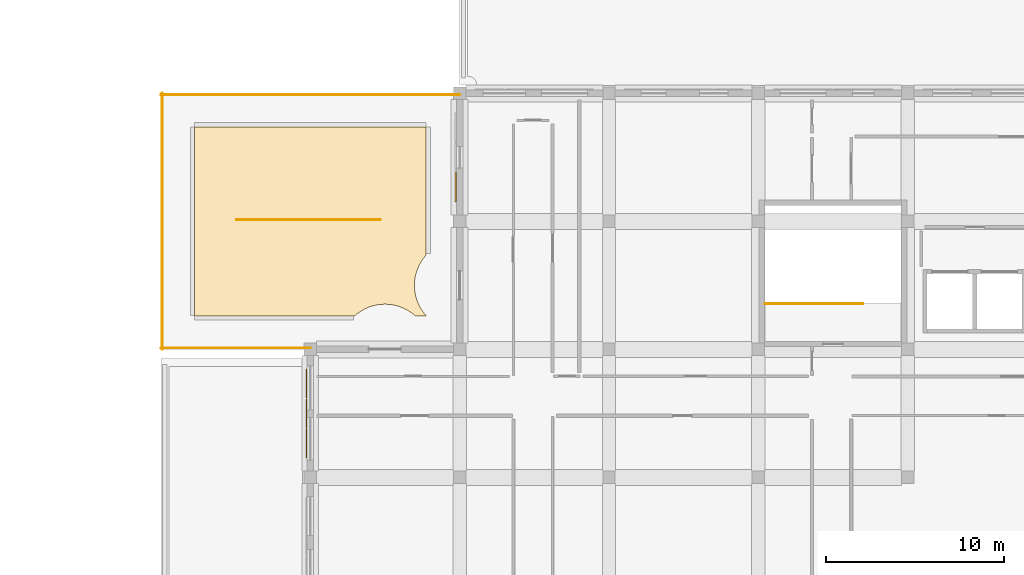
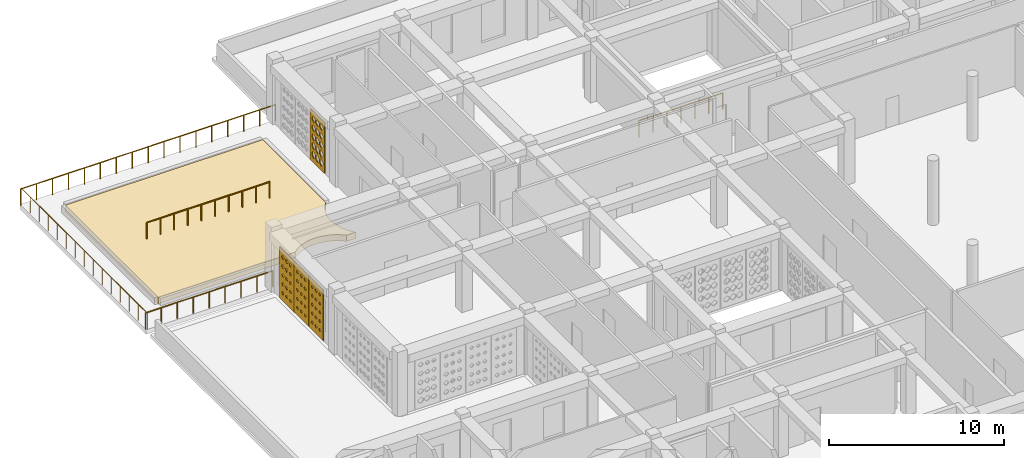
# One storey, part 40 of 47: 7 railings, 5 coverings.
"""IFC4 building model written with IfcOpenShell, lengths in metres."""

from ifc_helpers import new_model, si_unit, derived_unit, direction, frame, origin, origin_2d, place, context, subcontext, project, spatial, polyline, circle, outline, extrude, material, layer, layer_set, type_object, element, save


model = new_model("IFC4")

# Units and contexts
model_context = context("Model", 3, precision=1e-05, world=origin(), true_north=direction((0.0, 1.0)))
body_context = subcontext(model_context, "Body", "Model", "MODEL_VIEW")
ifc_project = project(units=[si_unit("LENGTHUNIT", "METRE"), si_unit("AREAUNIT", "SQUARE_METRE"), si_unit("VOLUMEUNIT", "CUBIC_METRE"), si_unit("PLANEANGLEUNIT", "RADIAN"), si_unit("MASSUNIT", "GRAM", prefix="KILO"), derived_unit("THERMALTRANSMITTANCEUNIT", [(si_unit("POWERUNIT", "WATT"), 1), (si_unit("LENGTHUNIT", "METRE"), -2), (si_unit("THERMODYNAMICTEMPERATUREUNIT", "KELVIN"), -1)])], contexts=[model_context])

# Site, building, storey
site_placement = place(None, origin())
site = spatial("IfcSite", under=ifc_project, at=site_placement, CompositionType="ELEMENT")
building_placement = place(site_placement, origin())
building = spatial("IfcBuilding", under=site, at=building_placement, Name="Veybourne Emporium", CompositionType="ELEMENT")
storey_placement = place(building_placement, frame((0.0, 0.0, 23.39990234375)))
storey = spatial("IfcBuildingStorey", under=building, at=storey_placement, Name="L05", CompositionType="ELEMENT", Elevation=23.39990234375)

# Railings
ifc_material_1 = material(Name="Brushed Stainless Steel", Category="steel")
railing_type_1 = type_object("IfcRailingType", Name="Guard_GR-01", PredefinedType="GUARDRAIL", material=ifc_material_1)
railing_1_placement = place(storey_placement, frame((50.77001953125, 74.56005859375, 0.0)))
element("IfcRailing", 1, at=railing_1_placement, inside=storey, type_object=railing_type_1, Name="L05 ST-03 top well guardrail", PredefinedType="GUARDRAIL", context=body_context, shape_type="SweptSolid", body=[
    extrude(circle(Radius=0.02392578125, at=origin_2d()), frame((0.0, 0.0, 1.1259765625), z_axis=(1.0, 0.0, 0.0), x_axis=(0.0, 1.0, 0.0)), (0.0, 0.0, 1.0), 5.52001953125),
    extrude(circle(Radius=0.02099609375, at=origin_2d()), origin(), (0.0, 0.0, 1.0), 1.101806640625),
    extrude(circle(Radius=0.02099609375, at=origin_2d()), frame((0.919921875, 0.0, 0.0)), (0.0, 0.0, 1.0), 1.101806640625),
    extrude(circle(Radius=0.02099609375, at=origin_2d()), frame((1.840087890625, 0.0, 0.0)), (0.0, 0.0, 1.0), 1.101806640625),
    extrude(circle(Radius=0.02099609375, at=origin_2d()), frame((2.760009765625, 0.0, 0.0)), (0.0, 0.0, 1.0), 1.101806640625),
    extrude(circle(Radius=0.02099609375, at=origin_2d()), frame((3.679931640625, 0.0, 0.0)), (0.0, 0.0, 1.0), 1.101806640625),
    extrude(circle(Radius=0.02099609375, at=origin_2d()), frame((4.60009765625, 0.0, 0.0)), (0.0, 0.0, 1.0), 1.101806640625),
    extrude(circle(Radius=0.02099609375, at=origin_2d()), frame((5.52001953125, 0.0, 0.0)), (0.0, 0.0, 1.0), 1.101806640625),
])
ifc_material_2 = material(Name="Patinated Architectural Bronze", Category="bronze")
railing_type_2 = type_object("IfcRailingType", Name="Guard_GR-02", PredefinedType="GUARDRAIL", material=ifc_material_2)
railing_2_placement = place(storey_placement, frame((25.199951171875, 72.080078125, 0.0)))
element("IfcRailing", 2, at=railing_2_placement, inside=storey, type_object=railing_type_2, Name="L05 terrace perimeter guardrail 001", PredefinedType="GUARDRAIL", context=body_context, shape_type="SweptSolid", body=[
    extrude(circle(Radius=0.02392578125, at=origin_2d()), frame((0.0, 0.0, 1.1259765625), z_axis=(-1.0, 0.0, 0.0), x_axis=(0.0, -1.0, 0.0)), (0.0, 0.0, 1.0), 8.39990234375),
    extrude(circle(Radius=0.02099609375, at=origin_2d()), origin(), (0.0, 0.0, 1.0), 1.101806640625),
    extrude(circle(Radius=0.02099609375, at=origin_2d()), frame((-1.050048828125, 0.0, 0.0)), (0.0, 0.0, 1.0), 1.101806640625),
    extrude(circle(Radius=0.02099609375, at=origin_2d()), frame((-2.10009765625, 0.0, 0.0)), (0.0, 0.0, 1.0), 1.101806640625),
    extrude(circle(Radius=0.02099609375, at=origin_2d()), frame((-3.14990234375, 0.0, 0.0)), (0.0, 0.0, 1.0), 1.101806640625),
    extrude(circle(Radius=0.02099609375, at=origin_2d()), frame((-4.199951171875, 0.0, 0.0)), (0.0, 0.0, 1.0), 1.101806640625),
    extrude(circle(Radius=0.02099609375, at=origin_2d()), frame((-5.25, 0.0, 0.0)), (0.0, 0.0, 1.0), 1.101806640625),
    extrude(circle(Radius=0.02099609375, at=origin_2d()), frame((-6.2998046875, 0.0, 0.0)), (0.0, 0.0, 1.0), 1.101806640625),
    extrude(circle(Radius=0.02099609375, at=origin_2d()), frame((-7.349853515625, 0.0, 0.0)), (0.0, 0.0, 1.0), 1.101806640625),
    extrude(circle(Radius=0.02099609375, at=origin_2d()), frame((-8.39990234375, 0.0, 0.0)), (0.0, 0.0, 1.0), 1.101806640625),
])
railing_3_placement = place(storey_placement, frame((16.8798828125, 72.0, 0.0)))
element("IfcRailing", 3, at=railing_3_placement, inside=storey, type_object=railing_type_2, Name="L05 terrace perimeter guardrail 002", PredefinedType="GUARDRAIL", context=body_context, shape_type="SweptSolid", body=[
    extrude(circle(Radius=0.02392578125, at=origin_2d()), frame((0.0, 0.0, 1.1259765625), z_axis=(0.0, 1.0, 0.0), x_axis=(-1.0, 0.0, 0.0)), (0.0, 0.0, 1.0), 7.199951171875),
    extrude(circle(Radius=0.02099609375, at=origin_2d()), origin(), (0.0, 0.0, 1.0), 1.101806640625),
    extrude(circle(Radius=0.02099609375, at=origin_2d()), frame((0.0, 1.028564453125, 0.0)), (0.0, 0.0, 1.0), 1.101806640625),
    extrude(circle(Radius=0.02099609375, at=origin_2d()), frame((0.0, 2.05712890625, 0.0)), (0.0, 0.0, 1.0), 1.101806640625),
    extrude(circle(Radius=0.02099609375, at=origin_2d()), frame((0.0, 3.085693359375, 0.0)), (0.0, 0.0, 1.0), 1.101806640625),
    extrude(circle(Radius=0.02099609375, at=origin_2d()), frame((0.0, 4.1142578125, 0.0)), (0.0, 0.0, 1.0), 1.101806640625),
    extrude(circle(Radius=0.02099609375, at=origin_2d()), frame((0.0, 5.142822265625, 0.0)), (0.0, 0.0, 1.0), 1.101806640625),
    extrude(circle(Radius=0.02099609375, at=origin_2d()), frame((0.0, 6.17138671875, 0.0)), (0.0, 0.0, 1.0), 1.101806640625),
    extrude(circle(Radius=0.02099609375, at=origin_2d()), frame((0.0, 7.199951171875, 0.0)), (0.0, 0.0, 1.0), 1.101806640625),
])
railing_4_placement = place(storey_placement, frame((16.800048828125, 86.320068359375, 0.0)))
element("IfcRailing", 4, at=railing_4_placement, inside=storey, type_object=railing_type_2, Name="L05 terrace perimeter guardrail 003", PredefinedType="GUARDRAIL", context=body_context, shape_type="SweptSolid", body=[
    extrude(circle(Radius=0.02392578125, at=origin_2d()), frame((0.0, 0.0, 1.1259765625), z_axis=(1.0, 0.0, 0.0), x_axis=(0.0, 1.0, 0.0)), (0.0, 0.0, 1.0), 8.39990234375),
    extrude(circle(Radius=0.02099609375, at=origin_2d()), origin(), (0.0, 0.0, 1.0), 1.101806640625),
    extrude(circle(Radius=0.02099609375, at=origin_2d()), frame((1.050048828125, 0.0, 0.0)), (0.0, 0.0, 1.0), 1.101806640625),
    extrude(circle(Radius=0.02099609375, at=origin_2d()), frame((2.10009765625, 0.0, 0.0)), (0.0, 0.0, 1.0), 1.101806640625),
    extrude(circle(Radius=0.02099609375, at=origin_2d()), frame((3.14990234375, 0.0, 0.0)), (0.0, 0.0, 1.0), 1.101806640625),
    extrude(circle(Radius=0.02099609375, at=origin_2d()), frame((4.199951171875, 0.0, 0.0)), (0.0, 0.0, 1.0), 1.101806640625),
    extrude(circle(Radius=0.02099609375, at=origin_2d()), frame((5.25, 0.0, 0.0)), (0.0, 0.0, 1.0), 1.101806640625),
    extrude(circle(Radius=0.02099609375, at=origin_2d()), frame((6.2998046875, 0.0, 0.0)), (0.0, 0.0, 1.0), 1.101806640625),
    extrude(circle(Radius=0.02099609375, at=origin_2d()), frame((7.349853515625, 0.0, 0.0)), (0.0, 0.0, 1.0), 1.101806640625),
    extrude(circle(Radius=0.02099609375, at=origin_2d()), frame((8.39990234375, 0.0, 0.0)), (0.0, 0.0, 1.0), 1.101806640625),
])
railing_5_placement = place(storey_placement, frame((16.8798828125, 79.199951171875, 0.0)))
element("IfcRailing", 5, at=railing_5_placement, inside=storey, type_object=railing_type_2, Name="L05 terrace perimeter guardrail 004", PredefinedType="GUARDRAIL", context=body_context, shape_type="SweptSolid", body=[
    extrude(circle(Radius=0.02392578125, at=origin_2d()), frame((0.0, 0.0, 1.1259765625), z_axis=(0.0, 1.0, 0.0), x_axis=(-1.0, 0.0, 0.0)), (0.0, 0.0, 1.0), 7.199951171875),
    extrude(circle(Radius=0.02099609375, at=origin_2d()), origin(), (0.0, 0.0, 1.0), 1.101806640625),
    extrude(circle(Radius=0.02099609375, at=origin_2d()), frame((0.0, 1.028564453125, 0.0)), (0.0, 0.0, 1.0), 1.101806640625),
    extrude(circle(Radius=0.02099609375, at=origin_2d()), frame((0.0, 2.05712890625, 0.0)), (0.0, 0.0, 1.0), 1.101806640625),
    extrude(circle(Radius=0.02099609375, at=origin_2d()), frame((0.0, 3.085693359375, 0.0)), (0.0, 0.0, 1.0), 1.101806640625),
    extrude(circle(Radius=0.02099609375, at=origin_2d()), frame((0.0, 4.1142578125, 0.0)), (0.0, 0.0, 1.0), 1.101806640625),
    extrude(circle(Radius=0.02099609375, at=origin_2d()), frame((0.0, 5.142822265625, 0.0)), (0.0, 0.0, 1.0), 1.101806640625),
    extrude(circle(Radius=0.02099609375, at=origin_2d()), frame((0.0, 6.17138671875, 0.0)), (0.0, 0.0, 1.0), 1.101806640625),
    extrude(circle(Radius=0.02099609375, at=origin_2d()), frame((0.0, 7.199951171875, 0.0)), (0.0, 0.0, 1.0), 1.101806640625),
])
railing_6_placement = place(storey_placement, frame((25.199951171875, 86.320068359375, 0.0)))
element("IfcRailing", 6, at=railing_6_placement, inside=storey, type_object=railing_type_2, Name="L05 terrace perimeter guardrail 005", PredefinedType="GUARDRAIL", context=body_context, shape_type="SweptSolid", body=[
    extrude(circle(Radius=0.02392578125, at=origin_2d()), frame((0.0, 0.0, 1.1259765625), z_axis=(1.0, 0.0, 0.0), x_axis=(0.0, 1.0, 0.0)), (0.0, 0.0, 1.0), 8.400146484375),
    extrude(circle(Radius=0.02099609375, at=origin_2d()), origin(), (0.0, 0.0, 1.0), 1.101806640625),
    extrude(circle(Radius=0.02099609375, at=origin_2d()), frame((1.050048828125, 0.0, 0.0)), (0.0, 0.0, 1.0), 1.101806640625),
    extrude(circle(Radius=0.02099609375, at=origin_2d()), frame((2.10009765625, 0.0, 0.0)), (0.0, 0.0, 1.0), 1.101806640625),
    extrude(circle(Radius=0.02099609375, at=origin_2d()), frame((3.150146484375, 0.0, 0.0)), (0.0, 0.0, 1.0), 1.101806640625),
    extrude(circle(Radius=0.02099609375, at=origin_2d()), frame((4.2001953125, 0.0, 0.0)), (0.0, 0.0, 1.0), 1.101806640625),
    extrude(circle(Radius=0.02099609375, at=origin_2d()), frame((5.25, 0.0, 0.0)), (0.0, 0.0, 1.0), 1.101806640625),
    extrude(circle(Radius=0.02099609375, at=origin_2d()), frame((6.300048828125, 0.0, 0.0)), (0.0, 0.0, 1.0), 1.101806640625),
    extrude(circle(Radius=0.02099609375, at=origin_2d()), frame((7.35009765625, 0.0, 0.0)), (0.0, 0.0, 1.0), 1.101806640625),
    extrude(circle(Radius=0.02099609375, at=origin_2d()), frame((8.400146484375, 0.0, 0.0)), (0.0, 0.0, 1.0), 1.101806640625),
])
railing_7_placement = place(storey_placement, frame((21.046142578125, 79.286376953125, 0.440185546875)))
element("IfcRailing", 7, at=railing_7_placement, inside=storey, type_object=railing_type_2, Name="L05 bronze roof-garden trellis balustrade 1.1", PredefinedType="GUARDRAIL", context=body_context, shape_type="SweptSolid", body=[
    extrude(circle(Radius=0.02392578125, at=origin_2d()), frame((0.0, 0.0, 1.1259765625), z_axis=(1.0, 0.0, 0.0), x_axis=(0.0, 1.0, 0.0)), (0.0, 0.0, 1.0), 8.099853515625),
    extrude(circle(Radius=0.02099609375, at=origin_2d()), origin(), (0.0, 0.0, 1.0), 1.101806640625),
    extrude(circle(Radius=0.02099609375, at=origin_2d()), frame((0.89990234375, 0.0, 0.0)), (0.0, 0.0, 1.0), 1.101806640625),
    extrude(circle(Radius=0.02099609375, at=origin_2d()), frame((1.800048828125, 0.0, 0.0)), (0.0, 0.0, 1.0), 1.101806640625),
    extrude(circle(Radius=0.02099609375, at=origin_2d()), frame((2.699951171875, 0.0, 0.0)), (0.0, 0.0, 1.0), 1.101806640625),
    extrude(circle(Radius=0.02099609375, at=origin_2d()), frame((3.599853515625, 0.0, 0.0)), (0.0, 0.0, 1.0), 1.101806640625),
    extrude(circle(Radius=0.02099609375, at=origin_2d()), frame((4.5, 0.0, 0.0)), (0.0, 0.0, 1.0), 1.101806640625),
    extrude(circle(Radius=0.02099609375, at=origin_2d()), frame((5.39990234375, 0.0, 0.0)), (0.0, 0.0, 1.0), 1.101806640625),
    extrude(circle(Radius=0.02099609375, at=origin_2d()), frame((6.2998046875, 0.0, 0.0)), (0.0, 0.0, 1.0), 1.101806640625),
    extrude(circle(Radius=0.02099609375, at=origin_2d()), frame((7.199951171875, 0.0, 0.0)), (0.0, 0.0, 1.0), 1.101806640625),
    extrude(circle(Radius=0.02099609375, at=origin_2d()), frame((8.099853515625, 0.0, 0.0)), (0.0, 0.0, 1.0), 1.101806640625),
])

# Coverings
ifc_material_3 = material(Name="Intensive Green Roof Build-up", Category="membrane")
ifc_layer_1 = layer(ifc_material_3, 0.43994140625)
ifc_layer_set_1 = layer_set([ifc_layer_1], Name="Intensive Green Roof Build-up")
covering_type_1 = type_object("IfcCoveringType", Name="Roofing_RFG-02", PredefinedType="ROOFING", material=ifc_layer_set_1)
covering_1_placement = place(storey_placement, origin())
element("IfcCovering", 8, at=covering_1_placement, inside=storey, type_object=covering_type_1, Name="L05 intensive planted garden bed 1.1", PredefinedType="ROOFING", context=body_context, shape_type="SweptSolid", body=[
    extrude(outline(polyline([(27.70556640625, 73.889892578125), (18.68994140625, 73.889892578125), (18.68994140625, 84.510009765625), (31.7099609375, 84.510009765625), (31.7099609375, 77.29443359375), (31.66748046875, 77.24755859375), (31.607177734375, 77.173828125), (31.515380859375, 77.050048828125), (31.46240234375, 76.970947265625), (31.38330078125, 76.8388671875), (31.33837890625, 76.7548828125), (31.2724609375, 76.615478515625), (31.236083984375, 76.527587890625), (31.18408203125, 76.382568359375), (31.156494140625, 76.29150390625), (31.119140625, 76.14208984375), (31.1005859375, 76.048583984375), (31.077880859375, 75.896240234375), (31.068603515625, 75.801513671875), (31.06103515625, 75.647705078125), (31.06103515625, 75.552490234375), (31.068603515625, 75.3984375), (31.077880859375, 75.3037109375), (31.1005859375, 75.1513671875), (31.119140625, 75.05810546875), (31.156494140625, 74.908447265625), (31.18408203125, 74.8173828125), (31.236083984375, 74.67236328125), (31.2724609375, 74.58447265625), (31.33837890625, 74.445068359375), (31.38330078125, 74.361083984375), (31.46240234375, 74.22900390625), (31.515380859375, 74.14990234375), (31.607177734375, 74.026123046875), (31.66748046875, 73.952392578125), (31.7099609375, 73.90576171875), (31.7099609375, 73.889892578125), (31.09423828125, 73.889892578125), (31.047607421875, 73.932373046875), (30.973876953125, 73.992919921875), (30.85009765625, 74.084716796875), (30.77099609375, 74.137451171875), (30.638916015625, 74.216796875), (30.554931640625, 74.26171875), (30.41552734375, 74.327392578125), (30.32763671875, 74.364013671875), (30.1826171875, 74.415771484375), (30.091552734375, 74.443359375), (29.94189453125, 74.48095703125), (29.8486328125, 74.49951171875), (29.6962890625, 74.52197265625), (29.6015625, 74.531494140625), (29.447509765625, 74.5390625), (29.352294921875, 74.5390625), (29.198486328125, 74.531494140625), (29.103759765625, 74.52197265625), (28.951416015625, 74.49951171875), (28.85791015625, 74.48095703125), (28.70849609375, 74.443359375), (28.617431640625, 74.415771484375), (28.472412109375, 74.364013671875), (28.384521484375, 74.327392578125), (28.2451171875, 74.26171875), (28.1611328125, 74.216796875), (28.029052734375, 74.137451171875), (27.949951171875, 74.084716796875), (27.826171875, 73.992919921875), (27.75244140625, 73.932373046875), (27.70556640625, 73.889892578125)])), origin(), (0.0, 0.0, 1.0), 0.440185546875),
])
ifc_material_4 = material(Name="Warm-White Perforated Aluminium Screen Alloy", Category="aluminium")
ifc_layer_2 = layer(ifc_material_4, 0.06005859375)
ifc_layer_set_2 = layer_set([ifc_layer_2], Name="Warm-White Perforated Aluminium Screen Alloy")
covering_type_2 = type_object("IfcCoveringType", Name="WaveScreen_SCR-02", PredefinedType="CLADDING", material=ifc_layer_set_2)
covering_2_placement = place(storey_placement, frame((24.951904296875, 66.719970703125, 1.830078125), z_axis=(1.0, 0.0, 0.0), x_axis=(0.0, 1.0, 0.0)))
element("IfcCovering", 9, at=covering_2_placement, inside=storey, type_object=covering_type_2, Name="L05 wave-perforated aluminium screen SCR-02 (19.1)", PredefinedType="CLADDING", context=body_context, shape_type="SweptSolid", body=[
    extrude(outline(polyline([(-0.81982421875, -1.77001953125), (0.81982421875, -1.77001953125), (0.81982421875, 1.77001953125), (-0.81982421875, 1.77001953125), (-0.81982421875, -1.77001953125)]), holes=[polyline([(-0.433349609375, -1.123046875), (-0.32763671875, -1.197998046875), (-0.32763671875, -1.281982421875), (-0.433349609375, -1.35693359375), (-0.5390625, -1.281982421875), (-0.5390625, -1.197998046875), (-0.433349609375, -1.123046875)]), polyline([(-0.433349609375, -0.507568359375), (-0.331298828125, -0.57958984375), (-0.331298828125, -0.660400390625), (-0.433349609375, -0.732421875), (-0.535400390625, -0.660400390625), (-0.535400390625, -0.57958984375), (-0.433349609375, -0.507568359375)]), polyline([(-0.433349609375, 0.110107421875), (-0.333251953125, 0.039794921875), (-0.333251953125, -0.039794921875), (-0.433349609375, -0.110107421875), (-0.533447265625, -0.039794921875), (-0.533447265625, 0.039794921875), (-0.433349609375, 0.110107421875)]), polyline([(-0.433349609375, 0.73046875), (-0.3330078125, 0.659912109375), (-0.3330078125, 0.580078125), (-0.433349609375, 0.509521484375), (-0.53369140625, 0.580078125), (-0.53369140625, 0.659912109375), (-0.433349609375, 0.73046875)]), polyline([(-0.433349609375, 1.353271484375), (-0.330810546875, 1.28076171875), (-0.330810546875, 1.19921875), (-0.433349609375, 1.126708984375), (-0.535888671875, 1.19921875), (-0.535888671875, 1.28076171875), (-0.433349609375, 1.353271484375)]), polyline([(0.0, -1.125244140625), (0.103759765625, -1.19873046875), (0.103759765625, -1.28125), (0.0, -1.354736328125), (-0.103759765625, -1.28125), (-0.103759765625, -1.19873046875), (0.0, -1.125244140625)]), polyline([(0.0, -0.5087890625), (0.100830078125, -0.580078125), (0.100830078125, -0.659912109375), (0.0, -0.731201171875), (-0.100830078125, -0.659912109375), (-0.100830078125, -0.580078125), (0.0, -0.5087890625)]), polyline([(0.0, 0.110107421875), (0.10009765625, 0.03955078125), (0.10009765625, -0.03955078125), (0.0, -0.110107421875), (-0.10009765625, -0.03955078125), (-0.10009765625, 0.03955078125), (0.0, 0.110107421875)]), polyline([(0.0, 0.7314453125), (0.10107421875, 0.66015625), (0.10107421875, 0.579833984375), (0.0, 0.508544921875), (-0.10107421875, 0.579833984375), (-0.10107421875, 0.66015625), (0.0, 0.7314453125)]), polyline([(0.0, 1.355224609375), (0.104248046875, 1.281494140625), (0.104248046875, 1.198486328125), (0.0, 1.124755859375), (-0.104248046875, 1.198486328125), (-0.104248046875, 1.281494140625), (0.0, 1.355224609375)]), polyline([(0.433349609375, -1.127197265625), (0.53564453125, -1.199462890625), (0.53564453125, -1.280517578125), (0.433349609375, -1.352783203125), (0.3310546875, -1.280517578125), (0.3310546875, -1.199462890625), (0.433349609375, -1.127197265625)]), polyline([(0.433349609375, -0.509765625), (0.53369140625, -0.580322265625), (0.53369140625, -0.65966796875), (0.433349609375, -0.730224609375), (0.3330078125, -0.65966796875), (0.3330078125, -0.580322265625), (0.433349609375, -0.509765625)]), polyline([(0.433349609375, 0.1103515625), (0.53369140625, 0.039794921875), (0.53369140625, -0.039794921875), (0.433349609375, -0.1103515625), (0.3330078125, -0.039794921875), (0.3330078125, 0.039794921875), (0.433349609375, 0.1103515625)]), polyline([(0.433349609375, 0.73291015625), (0.53564453125, 0.66064453125), (0.53564453125, 0.579345703125), (0.433349609375, 0.507080078125), (0.3310546875, 0.579345703125), (0.3310546875, 0.66064453125), (0.433349609375, 0.73291015625)]), polyline([(0.433349609375, 1.357666015625), (0.53955078125, 1.282470703125), (0.53955078125, 1.197509765625), (0.433349609375, 1.122314453125), (0.3271484375, 1.197509765625), (0.3271484375, 1.282470703125), (0.433349609375, 1.357666015625)])]), origin(), (0.0, 0.0, 1.0), 0.06005859375),
])
ifc_layer_3 = layer(ifc_material_4, 0.06005859375)
ifc_layer_set_3 = layer_set([ifc_layer_3], Name="Warm-White Perforated Aluminium Screen Alloy")
covering_type_3 = type_object("IfcCoveringType", Name="WaveScreen_SCR-03", PredefinedType="CLADDING", material=ifc_layer_set_3)
covering_3_placement = place(storey_placement, frame((24.951904296875, 68.39990234375, 1.830078125), z_axis=(1.0, 0.0, 0.0), x_axis=(0.0, 1.0, 0.0)))
element("IfcCovering", 10, at=covering_3_placement, inside=storey, type_object=covering_type_3, Name="L05 wave-perforated aluminium screen SCR-03 (19.2)", PredefinedType="CLADDING", context=body_context, shape_type="SweptSolid", body=[
    extrude(outline(polyline([(-0.81982421875, -1.77001953125), (0.81982421875, -1.77001953125), (0.81982421875, 1.77001953125), (-0.81982421875, 1.77001953125), (-0.81982421875, -1.77001953125)]), holes=[polyline([(-0.433349609375, -1.12939453125), (-0.3330078125, -1.2001953125), (-0.3330078125, -1.27978515625), (-0.433349609375, -1.3505859375), (-0.53369140625, -1.27978515625), (-0.53369140625, -1.2001953125), (-0.433349609375, -1.12939453125)]), polyline([(-0.433349609375, -0.510009765625), (-0.333251953125, -0.580322265625), (-0.333251953125, -0.65966796875), (-0.433349609375, -0.72998046875), (-0.533447265625, -0.65966796875), (-0.533447265625, -0.580322265625), (-0.433349609375, -0.510009765625)]), polyline([(-0.433349609375, 0.1123046875), (-0.33154296875, 0.040283203125), (-0.33154296875, -0.040283203125), (-0.433349609375, -0.1123046875), (-0.53515625, -0.040283203125), (-0.53515625, 0.040283203125), (-0.433349609375, 0.1123046875)]), polyline([(-0.433349609375, 0.73681640625), (-0.327880859375, 0.662109375), (-0.327880859375, 0.577880859375), (-0.433349609375, 0.50341796875), (-0.538818359375, 0.577880859375), (-0.538818359375, 0.662109375), (-0.433349609375, 0.73681640625)]), polyline([(-0.433349609375, 1.363525390625), (-0.322265625, 1.284423828125), (-0.322265625, 1.195556640625), (-0.433349609375, 1.116455078125), (-0.54443359375, 1.195556640625), (-0.54443359375, 1.284423828125), (-0.433349609375, 1.363525390625)]), polyline([(0.0, -1.1298828125), (0.10009765625, -1.200439453125), (0.10009765625, -1.279541015625), (0.0, -1.35009765625), (-0.10009765625, -1.279541015625), (-0.10009765625, -1.200439453125), (0.0, -1.1298828125)]), polyline([(0.0, -0.50927734375), (0.1005859375, -0.580078125), (0.1005859375, -0.659912109375), (0.0, -0.730712890625), (-0.1005859375, -0.659912109375), (-0.1005859375, -0.580078125), (0.0, -0.50927734375)]), polyline([(0.0, 0.114013671875), (0.103271484375, 0.041015625), (0.103271484375, -0.041015625), (0.0, -0.114013671875), (-0.103271484375, -0.041015625), (-0.103271484375, 0.041015625), (0.0, 0.114013671875)]), polyline([(0.0, 0.739501953125), (0.10791015625, 0.6630859375), (0.10791015625, 0.576904296875), (0.0, 0.50048828125), (-0.10791015625, 0.576904296875), (-0.10791015625, 0.6630859375), (0.0, 0.739501953125)]), polyline([(0.0, 1.3671875), (0.114013671875, 1.285888671875), (0.114013671875, 1.194091796875), (0.0, 1.11279296875), (-0.114013671875, 1.194091796875), (-0.114013671875, 1.285888671875), (0.0, 1.3671875)]), polyline([(0.433349609375, -1.1298828125), (0.533447265625, -1.200439453125), (0.533447265625, -1.279541015625), (0.433349609375, -1.35009765625), (0.333251953125, -1.279541015625), (0.333251953125, -1.200439453125), (0.433349609375, -1.1298828125)]), polyline([(0.433349609375, -0.508056640625), (0.534912109375, -0.57958984375), (0.534912109375, -0.660400390625), (0.433349609375, -0.73193359375), (0.331787109375, -0.660400390625), (0.331787109375, -0.57958984375), (0.433349609375, -0.508056640625)]), polyline([(0.433349609375, 0.1162109375), (0.538330078125, 0.041748046875), (0.538330078125, -0.041748046875), (0.433349609375, -0.1162109375), (0.328369140625, -0.041748046875), (0.328369140625, 0.041748046875), (0.433349609375, 0.1162109375)]), polyline([(0.433349609375, 0.74267578125), (0.543701171875, 0.664306640625), (0.543701171875, 0.57568359375), (0.433349609375, 0.497314453125), (0.322998046875, 0.57568359375), (0.322998046875, 0.664306640625), (0.433349609375, 0.74267578125)]), polyline([(0.433349609375, 1.371337890625), (0.55078125, 1.287353515625), (0.55078125, 1.192626953125), (0.433349609375, 1.108642578125), (0.31591796875, 1.192626953125), (0.31591796875, 1.287353515625), (0.433349609375, 1.371337890625)])]), origin(), (0.0, 0.0, 1.0), 0.06005859375),
])
ifc_layer_4 = layer(ifc_material_4, 0.06005859375)
ifc_layer_set_4 = layer_set([ifc_layer_4], Name="Warm-White Perforated Aluminium Screen Alloy")
covering_type_4 = type_object("IfcCoveringType", Name="WaveScreen_SCR-04", PredefinedType="CLADDING", material=ifc_layer_set_4)
covering_4_placement = place(storey_placement, frame((24.951904296875, 70.080078125, 1.830078125), z_axis=(1.0, 0.0, 0.0), x_axis=(0.0, 1.0, 0.0)))
element("IfcCovering", 11, at=covering_4_placement, inside=storey, type_object=covering_type_4, Name="L05 wave-perforated aluminium screen SCR-04 (19.3)", PredefinedType="CLADDING", context=body_context, shape_type="SweptSolid", body=[
    extrude(outline(polyline([(-0.81982421875, -1.77001953125), (0.81982421875, -1.77001953125), (0.81982421875, 1.77001953125), (-0.81982421875, 1.77001953125), (-0.81982421875, -1.77001953125)]), holes=[polyline([(-0.433349609375, -1.12841796875), (-0.33203125, -1.199951171875), (-0.33203125, -1.280029296875), (-0.433349609375, -1.3515625), (-0.534423828125, -1.280029296875), (-0.534423828125, -1.199951171875), (-0.433349609375, -1.12841796875)]), polyline([(-0.433349609375, -0.504638671875), (-0.3291015625, -0.57861328125), (-0.3291015625, -0.66162109375), (-0.433349609375, -0.7353515625), (-0.53759765625, -0.66162109375), (-0.53759765625, -0.57861328125), (-0.433349609375, -0.504638671875)]), polyline([(-0.433349609375, 0.12158203125), (-0.323974609375, 0.043701171875), (-0.323974609375, -0.043701171875), (-0.433349609375, -0.12158203125), (-0.542724609375, -0.043701171875), (-0.542724609375, 0.043701171875), (-0.433349609375, 0.12158203125)]), polyline([(-0.433349609375, 0.75), (-0.317138671875, 0.666748046875), (-0.317138671875, 0.5732421875), (-0.433349609375, 0.489990234375), (-0.549560546875, 0.5732421875), (-0.549560546875, 0.666748046875), (-0.433349609375, 0.75)]), polyline([(-0.433349609375, 1.380126953125), (-0.30859375, 1.290283203125), (-0.30859375, 1.189697265625), (-0.433349609375, 1.099853515625), (-0.55810546875, 1.189697265625), (-0.55810546875, 1.290283203125), (-0.433349609375, 1.380126953125)]), polyline([(0.0, -1.127197265625), (0.102294921875, -1.199462890625), (0.102294921875, -1.280517578125), (0.0, -1.352783203125), (-0.102294921875, -1.280517578125), (-0.102294921875, -1.199462890625), (0.0, -1.127197265625)]), polyline([(0.0, -0.502197265625), (0.1064453125, -0.57763671875), (0.1064453125, -0.662353515625), (0.0, -0.73779296875), (-0.1064453125, -0.662353515625), (-0.1064453125, -0.57763671875), (0.0, -0.502197265625)]), polyline([(0.0, 0.125), (0.1123046875, 0.044921875), (0.1123046875, -0.044921875), (0.0, -0.125), (-0.1123046875, -0.044921875), (-0.1123046875, 0.044921875), (0.0, 0.125)]), polyline([(0.0, 0.75439453125), (0.119873046875, 0.668212890625), (0.119873046875, 0.57177734375), (0.0, 0.485595703125), (-0.119873046875, 0.57177734375), (-0.119873046875, 0.668212890625), (0.0, 0.75439453125)]), polyline([(0.0, 1.38525390625), (0.12890625, 1.292236328125), (0.12890625, 1.187744140625), (0.0, 1.0947265625), (-0.12890625, 1.187744140625), (-0.12890625, 1.292236328125), (0.0, 1.38525390625)]), polyline([(0.433349609375, -1.125244140625), (0.537353515625, -1.19873046875), (0.537353515625, -1.28125), (0.433349609375, -1.354736328125), (0.329345703125, -1.28125), (0.329345703125, -1.19873046875), (0.433349609375, -1.125244140625)]), polyline([(0.433349609375, -0.499267578125), (0.542236328125, -0.576416015625), (0.542236328125, -0.66357421875), (0.433349609375, -0.74072265625), (0.324462890625, -0.66357421875), (0.324462890625, -0.576416015625), (0.433349609375, -0.499267578125)]), polyline([(0.433349609375, 0.12890625), (0.548828125, 0.04638671875), (0.548828125, -0.04638671875), (0.433349609375, -0.12890625), (0.31787109375, -0.04638671875), (0.31787109375, 0.04638671875), (0.433349609375, 0.12890625)]), polyline([(0.433349609375, 0.759033203125), (0.55712890625, 0.669921875), (0.55712890625, 0.570068359375), (0.433349609375, 0.48095703125), (0.3095703125, 0.570068359375), (0.3095703125, 0.669921875), (0.433349609375, 0.759033203125)]), polyline([(0.433349609375, 1.390625), (0.566650390625, 1.294189453125), (0.566650390625, 1.185791015625), (0.433349609375, 1.08935546875), (0.300048828125, 1.185791015625), (0.300048828125, 1.294189453125), (0.433349609375, 1.390625)])]), origin(), (0.0, 0.0, 1.0), 0.06005859375),
])
covering_5_placement = place(storey_placement, frame((33.35205078125, 81.1201171875, 1.830078125), z_axis=(1.0, 0.0, 0.0), x_axis=(0.0, 1.0, 0.0)))
element("IfcCovering", 12, at=covering_5_placement, inside=storey, type_object=covering_type_4, Name="L05 wave-perforated aluminium screen SCR-04 (25T.1)", PredefinedType="CLADDING", context=body_context, shape_type="SweptSolid", body=[
    extrude(outline(polyline([(-0.81982421875, -1.77001953125), (0.81982421875, -1.77001953125), (0.81982421875, 1.77001953125), (-0.81982421875, 1.77001953125), (-0.81982421875, -1.77001953125)]), holes=[polyline([(-0.433349609375, -0.97705078125), (-0.2470703125, -1.145263671875), (-0.2470703125, -1.334716796875), (-0.433349609375, -1.5029296875), (-0.61962890625, -1.334716796875), (-0.61962890625, -1.145263671875), (-0.433349609375, -0.97705078125)]), polyline([(-0.433349609375, -0.365478515625), (-0.2470703125, -0.5283203125), (-0.2470703125, -0.711669921875), (-0.433349609375, -0.87451171875), (-0.61962890625, -0.711669921875), (-0.61962890625, -0.5283203125), (-0.433349609375, -0.365478515625)]), polyline([(-0.433349609375, 0.244140625), (-0.2470703125, 0.087890625), (-0.2470703125, -0.087890625), (-0.433349609375, -0.244140625), (-0.61962890625, -0.087890625), (-0.61962890625, 0.087890625), (-0.433349609375, 0.244140625)]), polyline([(-0.433349609375, 0.852294921875), (-0.2470703125, 0.70361328125), (-0.2470703125, 0.536376953125), (-0.433349609375, 0.3876953125), (-0.61962890625, 0.536376953125), (-0.61962890625, 0.70361328125), (-0.433349609375, 0.852294921875)]), polyline([(-0.433349609375, 1.459228515625), (-0.2470703125, 1.31884765625), (-0.2470703125, 1.1611328125), (-0.433349609375, 1.020751953125), (-0.61962890625, 1.1611328125), (-0.61962890625, 1.31884765625), (-0.433349609375, 1.459228515625)]), polyline([(0.0, -0.98046875), (0.186279296875, -1.146484375), (0.186279296875, -1.33349609375), (0.0, -1.49951171875), (-0.186279296875, -1.33349609375), (-0.186279296875, -1.146484375), (0.0, -0.98046875)]), polyline([(0.0, -0.369873046875), (0.186279296875, -0.530029296875), (0.186279296875, -0.7099609375), (0.0, -0.8701171875), (-0.186279296875, -0.7099609375), (-0.186279296875, -0.530029296875), (0.0, -0.369873046875)]), polyline([(0.0, 0.239013671875), (0.186279296875, 0.086181640625), (0.186279296875, -0.086181640625), (0.0, -0.239013671875), (-0.186279296875, -0.086181640625), (-0.186279296875, 0.086181640625), (0.0, 0.239013671875)]), polyline([(0.0, 0.8466796875), (0.186279296875, 0.70166015625), (0.186279296875, 0.538330078125), (0.0, 0.393310546875), (-0.186279296875, 0.538330078125), (-0.186279296875, 0.70166015625), (0.0, 0.8466796875)]), polyline([(0.0, 1.453125), (0.184326171875, 1.316650390625), (0.184326171875, 1.163330078125), (0.0, 1.02685546875), (-0.184326171875, 1.163330078125), (-0.184326171875, 1.316650390625), (0.0, 1.453125)]), polyline([(0.433349609375, -0.984619140625), (0.61962890625, -1.14794921875), (0.61962890625, -1.33203125), (0.433349609375, -1.49560546875), (0.2470703125, -1.33203125), (0.2470703125, -1.14794921875), (0.433349609375, -0.984619140625)]), polyline([(0.433349609375, -0.374755859375), (0.61962890625, -0.53173828125), (0.61962890625, -0.708251953125), (0.433349609375, -0.865234375), (0.2470703125, -0.708251953125), (0.2470703125, -0.53173828125), (0.433349609375, -0.374755859375)]), polyline([(0.433349609375, 0.233642578125), (0.61962890625, 0.083984375), (0.61962890625, -0.083984375), (0.433349609375, -0.233642578125), (0.2470703125, -0.083984375), (0.2470703125, 0.083984375), (0.433349609375, 0.233642578125)]), polyline([(0.433349609375, 0.840576171875), (0.61962890625, 0.699462890625), (0.61962890625, 0.54052734375), (0.433349609375, 0.3994140625), (0.2470703125, 0.54052734375), (0.2470703125, 0.699462890625), (0.433349609375, 0.840576171875)]), polyline([(0.433349609375, 1.44677734375), (0.612548828125, 1.314453125), (0.612548828125, 1.16552734375), (0.433349609375, 1.033203125), (0.254150390625, 1.16552734375), (0.254150390625, 1.314453125), (0.433349609375, 1.44677734375)])]), origin(), (0.0, 0.0, 1.0), 0.06005859375),
])

save(model, "model.ifc")
